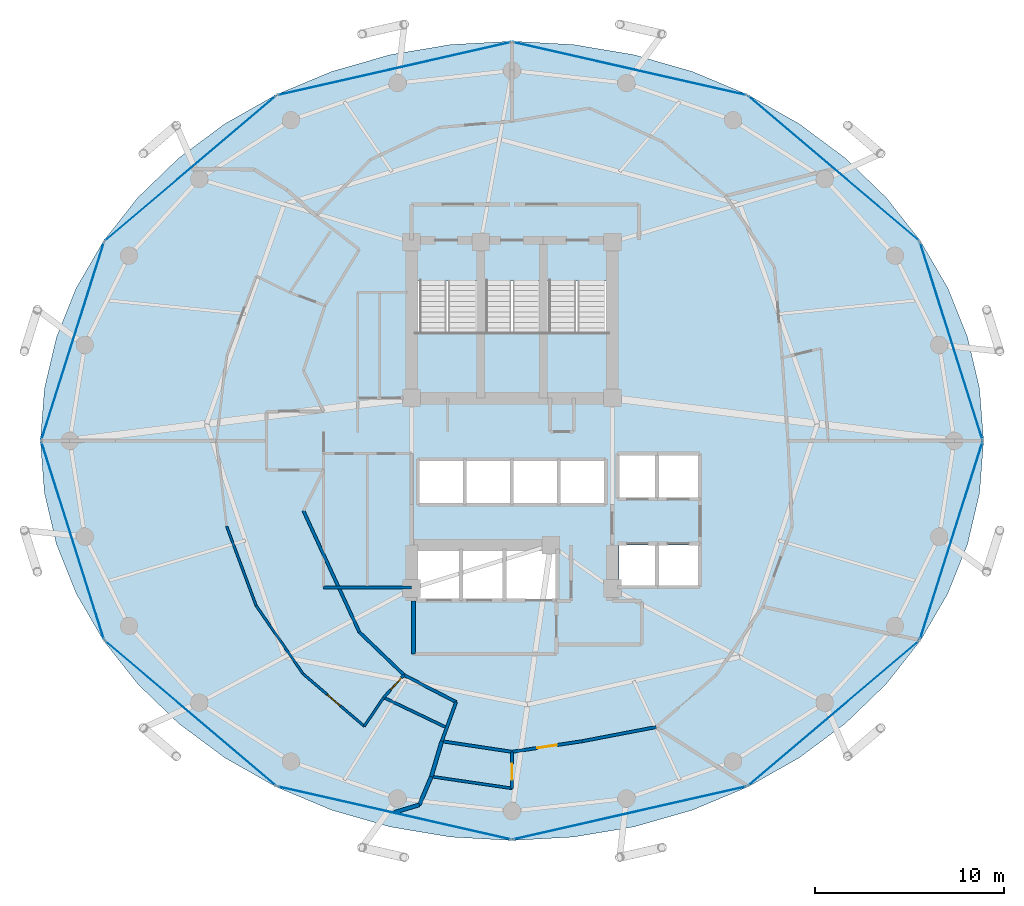
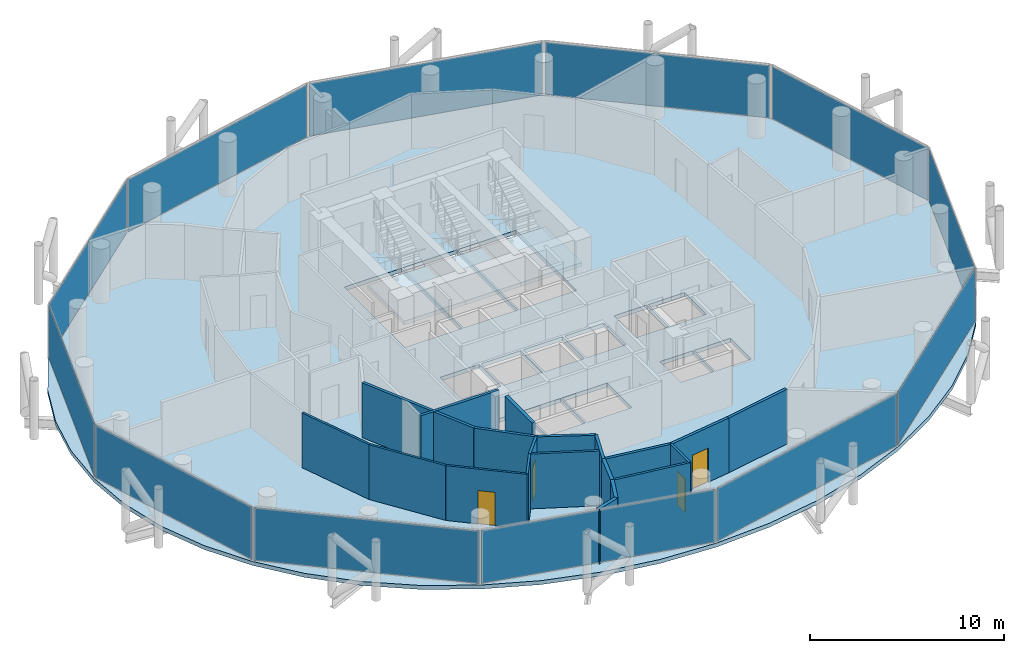
# One storey, part 21 of 26: 20 walls, 12 plates, 4 doors, 4 slabs, 4 openings, 15 elements without a shape of their own.
"""IFC4 building model written with IfcOpenShell, lengths in metres."""

import ifcopenshell
import ifcopenshell.guid

model = None  # the IFC model being written
_history = None  # IfcOwnerHistory: only IFC2X3 demands one
_inside = {}  # id of a spatial element -> (the spatial element, [elements in it])
_under = {}  # id of a project, library or spatial element -> (it, [spatial elements below it])
_declared = {}  # id of a project -> (the project, [libraries it declares])
_typed = {}  # id of a type object -> (the type object, [elements of that type])
_made_of = {}  # id of a material, layer set ... -> (it, [elements and type objects made of it])


def new_model(schema):
    """Start an empty IFC model of exactly this schema.

    Asked for "IFC4X3", IfcOpenShell would pick the latest addendum, in which some entities
    have other attributes; the version numbers below select the first issue.
    IFC2X3 requires an IfcOwnerHistory on every rooted entity: one is made here for all.
    """
    global model, _history
    if schema == "IFC4X3":
        model = ifcopenshell.file(schema_version=(4, 3, 0, 0))
    else:
        model = ifcopenshell.file(schema=schema)
    _inside.clear()
    _under.clear()
    _declared.clear()
    _typed.clear()
    _made_of.clear()
    _history = None
    if model.schema == "IFC2X3":
        org = make("IfcOrganization", Name="unknown")
        user = make(
            "IfcPersonAndOrganization",
            ThePerson=make("IfcPerson", FamilyName="unknown"),
            TheOrganization=org,
        )
        app = make(
            "IfcApplication",
            ApplicationDeveloper=org,
            Version="unknown",
            ApplicationFullName="unknown",
            ApplicationIdentifier="unknown",
        )
        _history = make(
            "IfcOwnerHistory",
            OwningUser=user,
            OwningApplication=app,
            ChangeAction="ADDED",
            CreationDate=0,
        )
    return model


def make(cls, **values):
    """One entity of the class cls with the attributes given. An attribute that is None is left unset."""
    return model.create_entity(
        cls, **{name: value for name, value in values.items() if value is not None}
    )


def rooted(cls, **values):
    """An entity with a GlobalId (a new one), such as an element, a storey or a relation."""
    return make(cls, GlobalId=ifcopenshell.guid.new(), OwnerHistory=_history, **values)


def si_unit(unit_type, name, prefix=None):
    """IfcSIUnit, for example si_unit("LENGTHUNIT", "METRE", prefix="MILLI")."""
    return make("IfcSIUnit", UnitType=unit_type, Prefix=prefix, Name=name)


def assignment(units):
    """IfcUnitAssignment: the units of a project."""
    return None if units is None else make("IfcUnitAssignment", Units=units)


def point(xyz):
    """IfcCartesianPoint."""
    return None if xyz is None else make("IfcCartesianPoint", Coordinates=xyz)


def direction(xyz):
    """IfcDirection."""
    return None if xyz is None else make("IfcDirection", DirectionRatios=xyz)


def frame(location, z_axis=None, x_axis=None):
    """IfcAxis2Placement3D, a coordinate frame: its origin and axes. An axis left out is left unset."""
    return make(
        "IfcAxis2Placement3D",
        Location=point(location),
        Axis=direction(z_axis),
        RefDirection=direction(x_axis),
    )


def frame_2d(location, x_axis=None):
    """IfcAxis2Placement2D, a coordinate frame in the plane: its origin and x axis."""
    return make(
        "IfcAxis2Placement2D", Location=point(location), RefDirection=direction(x_axis)
    )


def origin():
    """The frame at (0, 0, 0) with its axes left unset."""
    return frame((0.0, 0.0, 0.0))


def origin_2d():
    """The frame at (0, 0) in the plane with its x axis left unset."""
    return frame_2d((0.0, 0.0))


def place(relative_to, where):
    """IfcLocalPlacement: puts the frame where relative to a parent placement (None: the world)."""
    return make(
        "IfcLocalPlacement", PlacementRelTo=relative_to, RelativePlacement=where
    )


def context(
    kind, dimensions, precision=None, world=None, true_north=None, identifier=None
):
    """IfcGeometricRepresentationContext, for example the 3D "Model" context."""
    return make(
        "IfcGeometricRepresentationContext",
        ContextIdentifier=identifier,
        ContextType=kind,
        CoordinateSpaceDimension=dimensions,
        Precision=precision,
        WorldCoordinateSystem=world,
        TrueNorth=true_north,
    )


def subcontext(parent, identifier, kind, view, scale=None):
    """IfcGeometricRepresentationSubContext, for example "Body" below "Model"."""
    return make(
        "IfcGeometricRepresentationSubContext",
        ContextIdentifier=identifier,
        ContextType=kind,
        ParentContext=parent,
        TargetScale=scale,
        TargetView=view,
    )


def project(units=None, contexts=None):
    """IfcProject with its units and contexts."""
    return rooted(
        "IfcProject",
        Name="project",
        RepresentationContexts=contexts,
        UnitsInContext=assignment(units),
    )


def spatial(cls, under=None, at=None, **own):
    """A site, building, storey or space (cls), placed at a placement, below another one or the project."""
    s = rooted(cls, ObjectPlacement=at, **own)
    if under is not None:
        _under.setdefault(under.id(), (under, []))[1].append(s)
    return s


def polyline(points):
    """IfcPolyline through the points."""
    return make("IfcPolyline", Points=[point(p) for p in points])


def profile(cls, at=None, kind="AREA", **sizes):
    """A parametric profile (cls). Its sizes go by their IFC names, for example OverallWidth=200.0."""
    return make(cls, ProfileType=kind, Position=at, **sizes)


def rectangle(**sizes):
    """IfcRectangleProfileDef."""
    return profile("IfcRectangleProfileDef", **sizes)


def outline(outer, holes=None, kind="AREA"):
    """IfcArbitraryClosedProfileDef: a profile drawn as a closed curve; with holes, ...WithVoids."""
    if holes is None:
        return make("IfcArbitraryClosedProfileDef", ProfileType=kind, OuterCurve=outer)
    return make(
        "IfcArbitraryProfileDefWithVoids",
        ProfileType=kind,
        OuterCurve=outer,
        InnerCurves=holes,
    )


def extrude(swept, where, along, depth):
    """IfcExtrudedAreaSolid: the profile swept, set in the frame where, extruded along a direction by depth."""
    return make(
        "IfcExtrudedAreaSolid",
        SweptArea=swept,
        Position=where,
        ExtrudedDirection=direction(along),
        Depth=depth,
    )


def shape(context_of_items, identifier, shape_type, items):
    """IfcShapeRepresentation: the items that make up one representation, for example the "Body"."""
    return make(
        "IfcShapeRepresentation",
        ContextOfItems=context_of_items,
        RepresentationIdentifier=identifier,
        RepresentationType=shape_type,
        Items=items,
    )


def material(Name=None, Category=None):
    """IfcMaterial."""
    return make("IfcMaterial", Name=Name, Category=Category)


def layer(
    of_material, thickness, ventilated=None, Name=None, Category=None, Priority=None
):
    """IfcMaterialLayer: one layer of a wall or slab, of a material (None: an air gap)."""
    return make(
        "IfcMaterialLayer",
        Material=of_material,
        LayerThickness=thickness,
        IsVentilated=ventilated,
        Name=Name,
        Category=Category,
        Priority=Priority,
    )


def layer_set(layers, Name=None):
    """IfcMaterialLayerSet."""
    return make("IfcMaterialLayerSet", MaterialLayers=layers, LayerSetName=Name)


def made_of(thing, what):
    """Note that an element or type object is made of a material, layer set ...; save() writes the relation."""
    if what is not None:
        _made_of.setdefault(what.id(), (what, []))[1].append(thing)
    return thing


def type_object(cls, material=None, **own):
    """A type object (cls), such as IfcWallType, which elements share."""
    return made_of(rooted(cls, **own), material)


def element(
    cls,
    number,
    at=None,
    inside=None,
    cuts=None,
    type_object=None,
    material=None,
    context=None,
    identifier="Body",
    shape_type=None,
    held_by="IfcProductDefinitionShape",
    body=None,
    shapes=None,
    **own,
):
    """One element of the class cls, such as IfcWall. Its Tag is "e" and its number.

    at: its placement. inside: the storey or other place that contains it. cuts: it is an
    opening in that element (IfcRelVoidsElement). A single representation is given by context,
    identifier, shape_type and body (its items); several are given by shapes. held_by: the class
    of the entity that holds the representations. save() writes the other relations.
    """
    e = rooted(cls, Tag="e%d" % number, ObjectPlacement=at, **own)
    if body is not None:
        shapes = [shape(context, identifier, shape_type, body)]
    if shapes is not None:
        e.Representation = make(held_by, Representations=shapes)
    if inside is not None:
        _inside.setdefault(inside.id(), (inside, []))[1].append(e)
    if cuts is not None:
        rooted(
            "IfcRelVoidsElement", RelatingBuildingElement=cuts, RelatedOpeningElement=e
        )
    if type_object is not None:
        _typed.setdefault(type_object.id(), (type_object, []))[1].append(e)
    return made_of(e, material)


def fill(opening, filler):
    """IfcRelFillsElement: the door or window that sits in an opening."""
    return rooted(
        "IfcRelFillsElement",
        RelatingOpeningElement=opening,
        RelatedBuildingElement=filler,
    )


def aggregate(whole, parts):
    """IfcRelAggregates: a whole, such as a stair, and the parts it consists of."""
    return rooted("IfcRelAggregates", RelatingObject=whole, RelatedObjects=parts)


def save(model, path):
    """Write the relations noted so far, then the file.

    IfcRelAggregates (storeys below a building ...), IfcRelContainedInSpatialStructure (elements
    in a storey), IfcRelDefinesByType, IfcRelAssociatesMaterial and IfcRelDeclares: one each for
    every whole, place, type object, material and project.
    """
    for whole, parts in _under.values():
        aggregate(whole, parts)
    for where, things in _inside.values():
        rooted(
            "IfcRelContainedInSpatialStructure",
            RelatedElements=things,
            RelatingStructure=where,
        )
    for kind, things in _typed.values():
        rooted("IfcRelDefinesByType", RelatedObjects=things, RelatingType=kind)
    for what, things in _made_of.values():
        rooted("IfcRelAssociatesMaterial", RelatedObjects=things, RelatingMaterial=what)
    for by, libraries in _declared.values():
        rooted("IfcRelDeclares", RelatingContext=by, RelatedDefinitions=libraries)
    model.write(path)


model = new_model("IFC4")

# Units and contexts
model_context = context("Model", 3, precision=1e-05, world=origin(), true_north=direction((0.0, 1.0)))
body_context = subcontext(model_context, "Body", "Model", "MODEL_VIEW")
ifc_project = project(units=[si_unit("LENGTHUNIT", "METRE"), si_unit("AREAUNIT", "SQUARE_METRE"), si_unit("VOLUMEUNIT", "CUBIC_METRE"), si_unit("PLANEANGLEUNIT", "RADIAN"), si_unit("MASSUNIT", "GRAM", prefix="KILO")], contexts=[model_context])

# Site, building, storey
site_placement = place(None, origin())
site = spatial("IfcSite", under=ifc_project, at=site_placement, CompositionType="ELEMENT")
building_placement = place(site_placement, origin())
building = spatial("IfcBuilding", under=site, at=building_placement, Name="Nuhasar Tower", CompositionType="ELEMENT")
storey_placement = place(building_placement, frame((0.0, 0.0, 181.14990234375)))
storey = spatial("IfcBuildingStorey", under=building, at=storey_placement, Name="L44", CompositionType="ELEMENT", Elevation=181.14990234375)

# Curtain wall, plate
ifc_material_1 = material(Name="Aluminium 6063-T6", Category="aluminium")
ifc_layer_1 = layer(ifc_material_1, 0.199951171875)
ifc_layer_set_1 = layer_set([ifc_layer_1], Name="Aluminium 6063-T6")
curtain_wall_type = type_object("IfcCurtainWallType", Name="CW-Z2-HTL", PredefinedType="NOTDEFINED", material=ifc_layer_set_1)
curtain_wall_1_placement = place(storey_placement, origin())
curtain_wall_1 = element("IfcCurtainWall", 1, at=curtain_wall_1_placement, inside=storey, type_object=curtain_wall_type, Name="L44 Unitised Curtain Wall 01", PredefinedType="NOTDEFINED")
ifc_material_2 = material(Name="Glass Double Low-E", Category="glass")
ifc_layer_2 = layer(ifc_material_2, 0.028076171875)
ifc_layer_set_2 = layer_set([ifc_layer_2], Name="Glass Double Low-E")
plate_type = type_object("IfcPlateType", Name="CW-PANEL-GLZ", PredefinedType="CURTAIN_PANEL", material=ifc_layer_set_2)
plate_1_placement = place(storey_placement, frame((62.194580078125, 32.06494140625, 0.070068359375), z_axis=(0.0, 0.0, 1.0), x_axis=(-0.301603667577, 0.953433389233, 0.0)))
plate_1 = element("IfcPlate", 2, at=plate_1_placement, type_object=plate_type, Name="CW-Z2 panel 1.1", PredefinedType="CURTAIN_PANEL", context=body_context, shape_type="SweptSolid", body=[
    extrude(rectangle(XDim=10.904296875, YDim=0.028076171875, at=origin_2d()), origin(), (0.0, 0.0, 1.0), 3.31005859375),
])
aggregate(curtain_wall_1, [plate_1])

curtain_wall_2_placement = place(storey_placement, origin())
curtain_wall_2 = element("IfcCurtainWall", 3, at=curtain_wall_2_placement, inside=storey, type_object=curtain_wall_type, Name="L44 Unitised Curtain Wall 02", PredefinedType="NOTDEFINED")
plate_2_placement = place(storey_placement, frame((55.9794921875, 41.18408203125, 0.070068359375), z_axis=(0.0, 0.0, 1.0), x_axis=(-0.763020370292, 0.646374438324, 0.0)))
plate_2 = element("IfcPlate", 4, at=plate_2_placement, type_object=plate_type, Name="CW-Z2 panel 1.1", PredefinedType="CURTAIN_PANEL", context=body_context, shape_type="SweptSolid", body=[
    extrude(rectangle(XDim=11.784912109375, YDim=0.028076171875, at=origin_2d()), origin(), (0.0, 0.0, 1.0), 3.31005859375),
])
aggregate(curtain_wall_2, [plate_2])

curtain_wall_3_placement = place(storey_placement, origin())
curtain_wall_3 = element("IfcCurtainWall", 5, at=curtain_wall_3_placement, inside=storey, type_object=curtain_wall_type, Name="L44 Unitised Curtain Wall 03", PredefinedType="NOTDEFINED")
plate_3_placement = place(storey_placement, frame((45.215087890625, 46.448974609375, 0.070068359375), z_axis=(0.0, 0.0, 1.0), x_axis=(-0.975183694221, 0.22139729566, 0.0)))
plate_3 = element("IfcPlate", 6, at=plate_3_placement, type_object=plate_type, Name="CW-Z2 panel 1.1", PredefinedType="CURTAIN_PANEL", context=body_context, shape_type="SweptSolid", body=[
    extrude(rectangle(XDim=12.606201171875, YDim=0.028076171875, at=origin_2d()), origin(), (0.0, 0.0, 1.0), 3.31005859375),
])
aggregate(curtain_wall_3, [plate_3])

curtain_wall_4_placement = place(storey_placement, origin())
curtain_wall_4 = element("IfcCurtainWall", 7, at=curtain_wall_4_placement, inside=storey, type_object=curtain_wall_type, Name="L44 Unitised Curtain Wall 04", PredefinedType="NOTDEFINED")
plate_4_placement = place(storey_placement, frame((32.784912109375, 46.448974609375, 0.070068359375), z_axis=(0.0, 0.0, 1.0), x_axis=(-0.975183694221, -0.22139729566, 0.0)))
plate_4 = element("IfcPlate", 8, at=plate_4_placement, type_object=plate_type, Name="CW-Z2 panel 1.1", PredefinedType="CURTAIN_PANEL", context=body_context, shape_type="SweptSolid", body=[
    extrude(rectangle(XDim=12.606201171875, YDim=0.028076171875, at=origin_2d()), origin(), (0.0, 0.0, 1.0), 3.31005859375),
])
aggregate(curtain_wall_4, [plate_4])

curtain_wall_5_placement = place(storey_placement, origin())
curtain_wall_5 = element("IfcCurtainWall", 9, at=curtain_wall_5_placement, inside=storey, type_object=curtain_wall_type, Name="L44 Unitised Curtain Wall 05", PredefinedType="NOTDEFINED")
plate_5_placement = place(storey_placement, frame((22.0205078125, 41.18408203125, 0.070068359375), z_axis=(0.0, 0.0, 1.0), x_axis=(-0.763020370292, -0.646374438324, 0.0)))
plate_5 = element("IfcPlate", 10, at=plate_5_placement, type_object=plate_type, Name="CW-Z2 panel 1.1", PredefinedType="CURTAIN_PANEL", context=body_context, shape_type="SweptSolid", body=[
    extrude(rectangle(XDim=11.784912109375, YDim=0.028076171875, at=origin_2d()), origin(), (0.0, 0.0, 1.0), 3.31005859375),
])
aggregate(curtain_wall_5, [plate_5])

curtain_wall_6_placement = place(storey_placement, origin())
curtain_wall_6 = element("IfcCurtainWall", 11, at=curtain_wall_6_placement, inside=storey, type_object=curtain_wall_type, Name="L44 Unitised Curtain Wall 06", PredefinedType="NOTDEFINED")
plate_6_placement = place(storey_placement, frame((15.805419921875, 32.06494140625, 0.070068359375), z_axis=(0.0, 0.0, 1.0), x_axis=(-0.301603667577, -0.953433389233, 0.0)))
plate_6 = element("IfcPlate", 12, at=plate_6_placement, type_object=plate_type, Name="CW-Z2 panel 1.1", PredefinedType="CURTAIN_PANEL", context=body_context, shape_type="SweptSolid", body=[
    extrude(rectangle(XDim=10.904296875, YDim=0.028076171875, at=origin_2d()), origin(), (0.0, 0.0, 1.0), 3.31005859375),
])
aggregate(curtain_wall_6, [plate_6])

curtain_wall_7_placement = place(storey_placement, origin())
curtain_wall_7 = element("IfcCurtainWall", 13, at=curtain_wall_7_placement, inside=storey, type_object=curtain_wall_type, Name="L44 Unitised Curtain Wall 07", PredefinedType="NOTDEFINED")
plate_7_placement = place(storey_placement, frame((15.805419921875, 21.534912109375, 0.070068359375), z_axis=(0.0, 0.0, 1.0), x_axis=(0.301603667577, -0.953433389233, 0.0)))
plate_7 = element("IfcPlate", 14, at=plate_7_placement, type_object=plate_type, Name="CW-Z2 panel 1.1", PredefinedType="CURTAIN_PANEL", context=body_context, shape_type="SweptSolid", body=[
    extrude(rectangle(XDim=10.904296875, YDim=0.028076171875, at=origin_2d()), origin(), (0.0, 0.0, 1.0), 3.31005859375),
])
aggregate(curtain_wall_7, [plate_7])

curtain_wall_8_placement = place(storey_placement, origin())
curtain_wall_8 = element("IfcCurtainWall", 15, at=curtain_wall_8_placement, inside=storey, type_object=curtain_wall_type, Name="L44 Unitised Curtain Wall 08", PredefinedType="NOTDEFINED")
plate_8_placement = place(storey_placement, frame((22.0205078125, 12.416015625, 0.070068359375), z_axis=(0.0, 0.0, 1.0), x_axis=(0.763020370292, -0.646374438324, 0.0)))
plate_8 = element("IfcPlate", 16, at=plate_8_placement, type_object=plate_type, Name="CW-Z2 panel 1.1", PredefinedType="CURTAIN_PANEL", context=body_context, shape_type="SweptSolid", body=[
    extrude(rectangle(XDim=11.784912109375, YDim=0.028076171875, at=origin_2d()), origin(), (0.0, 0.0, 1.0), 3.31005859375),
])
aggregate(curtain_wall_8, [plate_8])

curtain_wall_9_placement = place(storey_placement, origin())
curtain_wall_9 = element("IfcCurtainWall", 17, at=curtain_wall_9_placement, inside=storey, type_object=curtain_wall_type, Name="L44 Unitised Curtain Wall 09", PredefinedType="NOTDEFINED")
plate_9_placement = place(storey_placement, frame((32.784912109375, 7.15087890625, 0.070068359375), z_axis=(0.0, 0.0, 1.0), x_axis=(0.975183694221, -0.22139729566, 0.0)))
plate_9 = element("IfcPlate", 18, at=plate_9_placement, type_object=plate_type, Name="CW-Z2 panel 1.1", PredefinedType="CURTAIN_PANEL", context=body_context, shape_type="SweptSolid", body=[
    extrude(rectangle(XDim=12.606201171875, YDim=0.028076171875, at=origin_2d()), origin(), (0.0, 0.0, 1.0), 3.31005859375),
])
aggregate(curtain_wall_9, [plate_9])

curtain_wall_10_placement = place(storey_placement, origin())
curtain_wall_10 = element("IfcCurtainWall", 19, at=curtain_wall_10_placement, inside=storey, type_object=curtain_wall_type, Name="L44 Unitised Curtain Wall 10", PredefinedType="NOTDEFINED")
plate_10_placement = place(storey_placement, frame((45.215087890625, 7.15087890625, 0.070068359375), z_axis=(0.0, 0.0, 1.0), x_axis=(0.975183694221, 0.22139729566, 0.0)))
plate_10 = element("IfcPlate", 20, at=plate_10_placement, type_object=plate_type, Name="CW-Z2 panel 1.1", PredefinedType="CURTAIN_PANEL", context=body_context, shape_type="SweptSolid", body=[
    extrude(rectangle(XDim=12.606201171875, YDim=0.028076171875, at=origin_2d()), origin(), (0.0, 0.0, 1.0), 3.31005859375),
])
aggregate(curtain_wall_10, [plate_10])

curtain_wall_11_placement = place(storey_placement, origin())
curtain_wall_11 = element("IfcCurtainWall", 21, at=curtain_wall_11_placement, inside=storey, type_object=curtain_wall_type, Name="L44 Unitised Curtain Wall 11", PredefinedType="NOTDEFINED")
plate_11_placement = place(storey_placement, frame((55.9794921875, 12.416015625, 0.070068359375), z_axis=(0.0, 0.0, 1.0), x_axis=(0.763020370292, 0.646374438324, 0.0)))
plate_11 = element("IfcPlate", 22, at=plate_11_placement, type_object=plate_type, Name="CW-Z2 panel 1.1", PredefinedType="CURTAIN_PANEL", context=body_context, shape_type="SweptSolid", body=[
    extrude(rectangle(XDim=11.784912109375, YDim=0.028076171875, at=origin_2d()), origin(), (0.0, 0.0, 1.0), 3.31005859375),
])
aggregate(curtain_wall_11, [plate_11])

curtain_wall_12_placement = place(storey_placement, origin())
curtain_wall_12 = element("IfcCurtainWall", 23, at=curtain_wall_12_placement, inside=storey, type_object=curtain_wall_type, Name="L44 Unitised Curtain Wall 12", PredefinedType="NOTDEFINED")
plate_12_placement = place(storey_placement, frame((62.194580078125, 21.534912109375, 0.070068359375), z_axis=(0.0, 0.0, 1.0), x_axis=(0.301603667577, 0.953433389233, 0.0)))
plate_12 = element("IfcPlate", 24, at=plate_12_placement, type_object=plate_type, Name="CW-Z2 panel 1.1", PredefinedType="CURTAIN_PANEL", context=body_context, shape_type="SweptSolid", body=[
    extrude(rectangle(XDim=10.904296875, YDim=0.028076171875, at=origin_2d()), origin(), (0.0, 0.0, 1.0), 3.31005859375),
])
aggregate(curtain_wall_12, [plate_12])

# Stair, slab
ifc_material_3 = material(Name="Concrete C45/55", Category="concrete")
stair_type_1 = type_object("IfcStairType", Name="STR-ST-01-2F-22R-1682", PredefinedType="HALF_TURN_STAIR", material=ifc_material_3)
stair_1_placement = place(storey_placement, origin())
stair_1 = element("IfcStair", 25, at=stair_1_placement, inside=storey, type_object=stair_type_1, Name="L44 Exit Stair ST-01", PredefinedType="HALF_TURN_STAIR")
ifc_layer_3 = layer(ifc_material_3, 0.239990234375)
ifc_layer_set_3 = layer_set([ifc_layer_3], Name="Concrete C45/55")
slab_type_1 = type_object("IfcSlabType", Name="SLB-STAIR-LND-240", PredefinedType="LANDING", material=ifc_layer_set_3)
slab_1_placement = place(storey_placement, frame((0.0, 0.0, 1.610107421875)))
slab_1 = element("IfcSlab", 26, at=slab_1_placement, type_object=slab_type_1, Name="ST-01 landing 1", PredefinedType="LANDING", context=body_context, shape_type="SweptSolid", body=[
    extrude(outline(polyline([(33.699951171875, 28.75), (37.35009765625, 28.75), (37.35009765625, 32.52001953125), (33.699951171875, 32.52001953125), (33.699951171875, 28.75)])), origin(), (0.0, 0.0, 1.0), 0.239990234375),
])
aggregate(stair_1, [slab_1])

stair_type_2 = type_object("IfcStairType", Name="STR-ST-03-2F-22R-1682", PredefinedType="HALF_TURN_STAIR", material=ifc_material_3)
stair_2_placement = place(storey_placement, origin())
stair_2 = element("IfcStair", 27, at=stair_2_placement, inside=storey, type_object=stair_type_2, Name="L44 Exit Stair ST-03", PredefinedType="HALF_TURN_STAIR")
slab_2_placement = place(storey_placement, frame((0.0, 0.0, 1.610107421875)))
slab_2 = element("IfcSlab", 28, at=slab_2_placement, type_object=slab_type_1, Name="ST-03 landing 1", PredefinedType="LANDING", context=body_context, shape_type="SweptSolid", body=[
    extrude(outline(polyline([(37.35009765625, 28.75), (40.64990234375, 28.75), (40.64990234375, 32.52001953125), (37.35009765625, 32.52001953125), (37.35009765625, 28.75)])), origin(), (0.0, 0.0, 1.0), 0.239990234375),
])
aggregate(stair_2, [slab_2])

stair_type_3 = type_object("IfcStairType", Name="STR-ST-02-2F-22R-1682", PredefinedType="HALF_TURN_STAIR", material=ifc_material_3)
stair_3_placement = place(storey_placement, origin())
stair_3 = element("IfcStair", 29, at=stair_3_placement, inside=storey, type_object=stair_type_3, Name="L44 Exit Stair ST-02", PredefinedType="HALF_TURN_STAIR")
slab_3_placement = place(storey_placement, frame((0.0, 0.0, 1.610107421875)))
slab_3 = element("IfcSlab", 30, at=slab_3_placement, type_object=slab_type_1, Name="ST-02 landing 1", PredefinedType="LANDING", context=body_context, shape_type="SweptSolid", body=[
    extrude(outline(polyline([(40.64990234375, 28.75), (44.300048828125, 28.75), (44.300048828125, 32.52001953125), (40.64990234375, 32.52001953125), (40.64990234375, 28.75)])), origin(), (0.0, 0.0, 1.0), 0.239990234375),
])
aggregate(stair_3, [slab_3])

# Slab
ifc_layer_4 = layer(ifc_material_3, 0.25)
ifc_layer_set_4 = layer_set([ifc_layer_4], Name="Concrete C45/55")
slab_type_2 = type_object("IfcSlabType", Name="SLB-Z1B-250", PredefinedType="FLOOR", material=ifc_layer_set_4)
slab_4_placement = place(storey_placement, frame((0.0, 0.0, -0.25)))
element("IfcSlab", 31, at=slab_4_placement, inside=storey, type_object=slab_type_2, Name="L44 Structural Slab", PredefinedType="FLOOR", context=body_context, shape_type="SweptSolid", body=[
    extrude(outline(polyline([(63.89990234375, 26.800048828125), (63.68701171875, 29.553955078125), (63.052001953125, 32.260986328125), (62.0048828125, 34.875), (60.56396484375, 37.35009765625), (58.75390625, 39.64501953125), (56.60693359375, 41.719970703125), (54.157958984375, 43.5400390625), (51.449951171875, 45.072998046875), (48.529052734375, 46.2939453125), (45.445068359375, 47.180908203125), (42.25, 47.718994140625), (39.0, 47.89990234375), (35.75, 47.718994140625), (32.554931640625, 47.180908203125), (29.470947265625, 46.2939453125), (26.550048828125, 45.072998046875), (23.842041015625, 43.5400390625), (21.39306640625, 41.719970703125), (19.24609375, 39.64501953125), (17.43603515625, 37.35009765625), (15.9951171875, 34.875), (14.947998046875, 32.260986328125), (14.31298828125, 29.553955078125), (14.10009765625, 26.800048828125), (14.31298828125, 24.0458984375), (14.947998046875, 21.339111328125), (15.9951171875, 18.72509765625), (17.43603515625, 16.25), (19.24609375, 13.955078125), (21.39306640625, 11.8798828125), (23.842041015625, 10.06005859375), (26.550048828125, 8.527099609375), (29.470947265625, 7.305908203125), (32.554931640625, 6.4189453125), (35.75, 5.881103515625), (39.0, 5.699951171875), (42.25, 5.881103515625), (45.445068359375, 6.4189453125), (48.529052734375, 7.305908203125), (51.449951171875, 8.527099609375), (54.157958984375, 10.06005859375), (56.60693359375, 11.8798828125), (58.75390625, 13.955078125), (60.56396484375, 16.25), (62.0048828125, 18.72509765625), (63.052001953125, 21.339111328125), (63.68701171875, 24.0458984375), (63.89990234375, 26.800048828125)]), holes=[polyline([(33.8798828125, 35.25), (37.300048828125, 35.25), (37.300048828125, 29.0), (33.8798828125, 29.0), (33.8798828125, 35.25)]), polyline([(37.39990234375, 35.25), (40.60009765625, 35.25), (40.60009765625, 29.0), (37.39990234375, 29.0), (37.39990234375, 35.25)]), polyline([(40.699951171875, 35.25), (44.1201171875, 35.25), (44.1201171875, 29.0), (40.699951171875, 29.0), (40.699951171875, 35.25)]), polyline([(44.64990234375, 26.050048828125), (46.60009765625, 26.050048828125), (46.60009765625, 23.800048828125), (44.64990234375, 23.800048828125), (44.64990234375, 26.050048828125)]), polyline([(46.699951171875, 26.050048828125), (48.85009765625, 26.050048828125), (48.85009765625, 23.800048828125), (46.699951171875, 23.800048828125), (46.699951171875, 26.050048828125)]), polyline([(44.64990234375, 21.300048828125), (46.60009765625, 21.300048828125), (46.60009765625, 19.14990234375), (44.64990234375, 19.14990234375), (44.64990234375, 21.300048828125)]), polyline([(46.699951171875, 21.300048828125), (48.85009765625, 21.300048828125), (48.85009765625, 19.14990234375), (46.699951171875, 19.14990234375), (46.699951171875, 21.300048828125)]), polyline([(34.10009765625, 25.75), (36.43994140625, 25.75), (36.43994140625, 23.5), (34.10009765625, 23.5), (34.10009765625, 25.75)]), polyline([(36.580078125, 25.75), (38.919921875, 25.75), (38.919921875, 23.5), (36.580078125, 23.5), (36.580078125, 25.75)]), polyline([(39.06005859375, 25.75), (41.39990234375, 25.75), (41.39990234375, 23.5), (39.06005859375, 23.5), (39.06005859375, 25.75)]), polyline([(41.5400390625, 25.75), (43.8798828125, 25.75), (43.8798828125, 23.5), (41.5400390625, 23.5), (41.5400390625, 25.75)]), polyline([(34.050048828125, 21.0), (36.25, 21.0), (36.25, 18.449951171875), (34.050048828125, 18.449951171875), (34.050048828125, 21.0)]), polyline([(36.35009765625, 21.0), (38.550048828125, 21.0), (38.550048828125, 18.449951171875), (36.35009765625, 18.449951171875), (36.35009765625, 21.0)]), polyline([(38.64990234375, 21.0), (41.320068359375, 21.0), (41.320068359375, 18.449951171875), (38.64990234375, 18.449951171875), (38.64990234375, 21.0)])]), origin(), (0.0, 0.0, 1.0), 0.25),
])

# Walls
ifc_material_4 = material(Name="Gypsum Board", Category="gypsum")
ifc_layer_5 = layer(ifc_material_4, 0.159912109375)
ifc_layer_set_5 = layer_set([ifc_layer_5], Name="Gypsum Board")
wall_type_1 = type_object("IfcWallType", Name="WL-CORR-160", PredefinedType="PARTITIONING", material=ifc_layer_set_5)
wall_1_placement = place(storey_placement, frame((29.050048828125, 19.050048828125, 0.0), z_axis=(0.0, 0.0, 1.0), x_axis=(1.0, 0.0, 0.0)))
element("IfcWall", 32, at=wall_1_placement, inside=storey, type_object=wall_type_1, Name="L44 Interior Partition RECL-B1-S", PredefinedType="PARTITIONING", context=body_context, shape_type="SweptSolid", body=[
    extrude(rectangle(XDim=4.64990234375, YDim=0.159912109375, at=frame_2d((2.324951171875, 0.0))), origin(), (0.0, 0.0, 1.0), 3.4501953125),
])
wall_2_placement = place(storey_placement, frame((35.2939453125, 10.93896484375, 0.0), z_axis=(0.0, 0.0, 1.0), x_axis=(0.988811779908, -0.149168575493, 0.0)))
element("IfcWall", 33, at=wall_2_placement, inside=storey, type_object=wall_type_1, Name="L44 Interior Partition CORR-34", PredefinedType="PARTITIONING", context=body_context, shape_type="SweptSolid", body=[
    extrude(rectangle(XDim=3.748046875, YDim=0.159912109375, at=frame_2d((1.8740234375, 0.0))), origin(), (0.0, 0.0, 1.0), 3.4501953125),
])

# Wall, opening, door
wall_3_placement = place(storey_placement, frame((42.7060546875, 10.93896484375, 0.0), z_axis=(0.0, 0.0, 1.0), x_axis=(-0.988811779908, -0.149168575493, 0.0)))
wall_3 = element("IfcWall", 34, at=wall_3_placement, inside=storey, type_object=wall_type_1, Name="L44 Interior Partition CORR-36", PredefinedType="PARTITIONING", context=body_context, shape_type="SweptSolid", body=[
    extrude(rectangle(XDim=3.748046875, YDim=0.159912109375, at=frame_2d((1.8740234375, 0.0))), origin(), (0.0, 0.0, 1.0), 3.4501953125),
])
opening_1_placement = place(wall_3_placement, frame((1.34912109375, 0.0, 0.0)))
opening_1 = element("IfcOpeningElement", 35, at=opening_1_placement, cuts=wall_3, Name="Opening DU-01", PredefinedType="OPENING", context=body_context, shape_type="SweptSolid", body=[
    extrude(rectangle(XDim=1.050048828125, YDim=2.14990234375, at=frame_2d((0.52490234375, 1.074951171875))), frame((0.0, 0.08984375, 0.0), z_axis=(0.0, -1.0, 0.0), x_axis=(1.0, 0.0, 0.0)), (0.0, 0.0, 1.0), 0.179931640625),
])
ifc_material_5 = material(Name="Timber Oak", Category="wood")
door_type_1 = type_object("IfcDoorType", Name="DR-SUITE-FD60-1050", OperationType="NOTDEFINED", PredefinedType="DOOR", material=ifc_material_5)
door_1_placement = place(opening_1_placement, origin())
door_1 = element("IfcDoor", 36, at=door_1_placement, inside=storey, type_object=door_type_1, Name="L44 Family Suite 01 Entrance Door", OperationType="SINGLE_SWING_RIGHT", OverallHeight=2.14990234375, OverallWidth=1.050048828125, PredefinedType="DOOR", context=body_context, shape_type="SweptSolid", body=[
    extrude(rectangle(XDim=1.050048828125, YDim=2.14990234375, at=frame_2d((0.52490234375, 1.074951171875))), frame((0.0, 0.02490234375, 0.0), z_axis=(0.0, -1.0, 0.0), x_axis=(1.0, 0.0, 0.0)), (0.0, 0.0, 1.0), 0.050048828125),
])
fill(opening_1, door_1)

# Walls
wall_4_placement = place(storey_placement, frame((42.7060546875, 10.93896484375, 0.0), z_axis=(0.0, 0.0, 1.0), x_axis=(0.982133702628, 0.188184457811, 0.0)))
element("IfcWall", 37, at=wall_4_placement, inside=storey, type_object=wall_type_1, Name="L44 Interior Partition CORR-38", PredefinedType="PARTITIONING", context=body_context, shape_type="SweptSolid", body=[
    extrude(rectangle(XDim=3.97509765625, YDim=0.159912109375, at=frame_2d((1.987548828125, 0.0))), origin(), (0.0, 0.0, 1.0), 3.4501953125),
])
wall_5_placement = place(storey_placement, frame((36.049072265625, 13.007080078125, 0.0), z_axis=(0.0, 0.0, 1.0), x_axis=(-0.342980355209, -0.939342576455, 0.0)))
element("IfcWall", 38, at=wall_5_placement, inside=storey, type_object=wall_type_1, Name="L44 Interior Partition HRAD-34-IN", PredefinedType="PARTITIONING", context=body_context, shape_type="SweptSolid", body=[
    extrude(rectangle(XDim=2.20166015625, YDim=0.159912109375, at=frame_2d((1.100830078125, 0.0))), origin(), (0.0, 0.0, 1.0), 3.4501953125),
])
wall_6_placement = place(storey_placement, frame((27.988037109375, 23.10400390625, 0.0), z_axis=(0.0, 0.0, 1.0), x_axis=(0.418656179426, -0.908144814128, 0.0)))
element("IfcWall", 39, at=wall_6_placement, inside=storey, type_object=wall_type_1, Name="L44 Interior Partition HWEST-CORE-S1-26", PredefinedType="PARTITIONING", context=body_context, shape_type="SweptSolid", body=[
    extrude(rectangle(XDim=7.048583984375, YDim=0.159912109375, at=frame_2d((3.5244140625, 0.0))), origin(), (0.0, 0.0, 1.0), 3.4501953125),
])
wall_7_placement = place(storey_placement, frame((30.93896484375, 16.702880859375, 0.0), z_axis=(0.0, 0.0, 1.0), x_axis=(0.72090897908, -0.693029756851, 0.0)))
element("IfcWall", 40, at=wall_7_placement, inside=storey, type_object=wall_type_1, Name="L44 Interior Partition HWEST-CORE-S2-30", PredefinedType="PARTITIONING", context=body_context, shape_type="SweptSolid", body=[
    extrude(rectangle(XDim=3.275146484375, YDim=0.159912109375, at=frame_2d((1.6376953125, 0.0))), origin(), (0.0, 0.0, 1.0), 3.4501953125),
])
wall_8_placement = place(storey_placement, frame((33.300048828125, 14.43310546875, 0.0), z_axis=(0.0, 0.0, 1.0), x_axis=(0.887674575788, -0.460471331898, 0.0)))
element("IfcWall", 41, at=wall_8_placement, inside=storey, type_object=wall_type_1, Name="L44 Interior Partition HWEST-CORE-S2-32", PredefinedType="PARTITIONING", context=body_context, shape_type="SweptSolid", body=[
    extrude(rectangle(XDim=3.096923828125, YDim=0.159912109375, at=frame_2d((1.54833984375, 0.0))), origin(), (0.0, 0.0, 1.0), 3.4501953125),
])
ifc_layer_6 = layer(ifc_material_3, 0.199951171875)
ifc_layer_set_6 = layer_set([ifc_layer_6], Name="Concrete C45/55")
wall_type_2 = type_object("IfcWallType", Name="WL-LOBBY-200", PredefinedType="SOLIDWALL", material=ifc_layer_set_6)
wall_9_placement = place(storey_placement, frame((33.800048828125, 15.550048828125, 0.0), z_axis=(0.0, 0.0, 1.0), x_axis=(0.0, 1.0, 0.0)))
element("IfcWall", 42, at=wall_9_placement, inside=storey, type_object=wall_type_2, Name="L44 Interior Partition FFL-W", PredefinedType="SOLIDWALL", context=body_context, shape_type="SweptSolid", body=[
    extrude(rectangle(XDim=2.800048828125, YDim=0.199951171875, at=frame_2d((1.39990234375, 0.0))), origin(), (0.0, 0.0, 1.0), 3.4501953125),
])
ifc_layer_7 = layer(ifc_material_4, 0.125)
ifc_layer_set_7 = layer_set([ifc_layer_7], Name="Gypsum Board")
wall_type_3 = type_object("IfcWallType", Name="WL-PART-125", PredefinedType="PARTITIONING", material=ifc_layer_set_7)
wall_10_placement = place(storey_placement, frame((32.22509765625, 13.2470703125, 0.0), z_axis=(0.0, 0.0, 1.0), x_axis=(-0.560137086464, -0.828399930207, 0.0)))
element("IfcWall", 43, at=wall_10_placement, inside=storey, type_object=wall_type_3, Name="L44 Interior Partition HWS2-N", PredefinedType="PARTITIONING", context=body_context, shape_type="SweptSolid", body=[
    extrude(rectangle(XDim=1.830078125, YDim=0.125, at=frame_2d((0.9150390625, 0.0))), origin(), (0.0, 0.0, 1.0), 3.4501953125),
])
wall_11_placement = place(storey_placement, frame((23.931884765625, 22.297119140625, 0.0), z_axis=(0.0, 0.0, 1.0), x_axis=(0.348031805078, -0.93748272659, 0.0)))
element("IfcWall", 44, at=wall_11_placement, inside=storey, type_object=wall_type_3, Name="L44 Interior Partition HWS2-ARC-26", PredefinedType="PARTITIONING", context=body_context, shape_type="SweptSolid", body=[
    extrude(rectangle(XDim=4.476806640625, YDim=0.125, at=frame_2d((2.23828125, 0.0))), origin(), (0.0, 0.0, 1.0), 3.4501953125),
])
wall_12_placement = place(storey_placement, frame((25.489990234375, 18.10009765625, 0.0), z_axis=(0.0, 0.0, 1.0), x_axis=(0.566723041571, -0.823908365143, 0.0)))
element("IfcWall", 45, at=wall_12_placement, inside=storey, type_object=wall_type_3, Name="L44 Interior Partition HWS2-ARC-28", PredefinedType="PARTITIONING", context=body_context, shape_type="SweptSolid", body=[
    extrude(rectangle(XDim=4.374267578125, YDim=0.125, at=frame_2d((2.18701171875, 0.0))), origin(), (0.0, 0.0, 1.0), 3.4501953125),
])

# Wall, opening, door
wall_13_placement = place(storey_placement, frame((27.968994140625, 14.49609375, 0.0), z_axis=(0.0, 0.0, 1.0), x_axis=(0.759750776123, -0.650214394013, 0.0)))
wall_13 = element("IfcWall", 46, at=wall_13_placement, inside=storey, type_object=wall_type_3, Name="L44 Interior Partition HWS2-ARC-30", PredefinedType="PARTITIONING", context=body_context, shape_type="SweptSolid", body=[
    extrude(rectangle(XDim=4.252685546875, YDim=0.125, at=frame_2d((2.12646484375, 0.0))), origin(), (0.0, 0.0, 1.0), 3.4501953125),
])
opening_2_placement = place(wall_13_placement, frame((1.676025390625, 0.0, 0.0)))
opening_2 = element("IfcOpeningElement", 47, at=opening_2_placement, cuts=wall_13, Name="Opening DR-01", PredefinedType="OPENING", context=body_context, shape_type="SweptSolid", body=[
    extrude(rectangle(XDim=0.89990234375, YDim=2.10009765625, at=frame_2d((0.449951171875, 1.050048828125))), frame((0.0, 0.072509765625, 0.0), z_axis=(0.0, -1.0, 0.0), x_axis=(1.0, 0.0, 0.0)), (0.0, 0.0, 1.0), 0.14501953125),
])
door_type_2 = type_object("IfcDoorType", Name="DR-ROOM-900", OperationType="NOTDEFINED", PredefinedType="DOOR", material=ifc_material_5)
door_2_placement = place(opening_2_placement, origin())
door_2 = element("IfcDoor", 48, at=door_2_placement, inside=storey, type_object=door_type_2, Name="L44 South-West Presidential Suite Bedroom Door", OperationType="SINGLE_SWING_LEFT", OverallHeight=2.10009765625, OverallWidth=0.89990234375, PredefinedType="DOOR", context=body_context, shape_type="SweptSolid", body=[
    extrude(rectangle(XDim=0.89990234375, YDim=2.10009765625, at=frame_2d((0.449951171875, 1.050048828125))), frame((0.0, 0.02490234375, 0.0), z_axis=(0.0, -1.0, 0.0), x_axis=(1.0, 0.0, 0.0)), (0.0, 0.0, 1.0), 0.050048828125),
])
fill(opening_2, door_2)

# Walls
ifc_material_6 = material(Name="Concrete C40/50 precast", Category="concrete")
ifc_layer_8 = layer(ifc_material_6, 0.199951171875)
ifc_layer_set_8 = layer_set([ifc_layer_8], Name="Concrete C40/50 precast")
wall_type_4 = type_object("IfcWallType", Name="WL-UNIT-200", PredefinedType="PARTITIONING", material=ifc_layer_set_8)
wall_14_placement = place(storey_placement, frame((35.2939453125, 10.93896484375, 0.0), z_axis=(0.0, 0.0, 1.0), x_axis=(-0.283947221883, -0.958839911135, 0.0)))
element("IfcWall", 49, at=wall_14_placement, inside=storey, type_object=wall_type_4, Name="L44 Interior Partition HRAD-34-OUT-S1", PredefinedType="PARTITIONING", context=body_context, shape_type="SweptSolid", body=[
    extrude(rectangle(XDim=1.944091796875, YDim=0.199951171875, at=frame_2d((0.97216796875, 0.0))), origin(), (0.0, 0.0, 1.0), 3.4501953125),
])
wall_15_placement = place(storey_placement, frame((34.741943359375, 9.074951171875, 0.0), z_axis=(0.0, 0.0, 1.0), x_axis=(-0.389982878965, -0.920822107746, 0.0)))
element("IfcWall", 50, at=wall_15_placement, inside=storey, type_object=wall_type_4, Name="L44 Interior Partition HRAD-34-OUT-S2", PredefinedType="PARTITIONING", context=body_context, shape_type="SweptSolid", body=[
    extrude(rectangle(XDim=1.625732421875, YDim=0.199951171875, at=frame_2d((0.81298828125, 0.0))), origin(), (0.0, 0.0, 1.0), 3.4501953125),
])
wall_16_placement = place(storey_placement, frame((34.10791015625, 7.577880859375, 0.0), z_axis=(0.0, 0.0, 1.0), x_axis=(-0.957904627435, -0.287086615394, 0.0)))
element("IfcWall", 51, at=wall_16_placement, inside=storey, type_object=wall_type_4, Name="L44 Interior Partition HRAD-34-OUT-S3", PredefinedType="PARTITIONING", context=body_context, shape_type="SweptSolid", body=[
    extrude(rectangle(XDim=1.371826171875, YDim=0.199951171875, at=frame_2d((0.68603515625, 0.0))), origin(), (0.0, 0.0, 1.0), 3.4501953125),
])

# Wall, opening, door
ifc_layer_9 = layer(ifc_material_6, 0.139892578125)
ifc_layer_set_9 = layer_set([ifc_layer_9], Name="Concrete C40/50 precast")
wall_type_5 = type_object("IfcWallType", Name="WL-WET-140", PredefinedType="PARTITIONING", material=ifc_layer_set_9)
wall_17_placement = place(storey_placement, frame((39.0, 10.3798828125, 0.0), z_axis=(0.0, 0.0, 1.0), x_axis=(0.0, -1.0, 0.0)))
wall_17 = element("IfcWall", 52, at=wall_17_placement, inside=storey, type_object=wall_type_5, Name="L44 Interior Partition HBW-01", PredefinedType="PARTITIONING", context=body_context, shape_type="SweptSolid", body=[
    extrude(rectangle(XDim=1.929931640625, YDim=0.139892578125, at=frame_2d((0.96484375, 0.0))), origin(), (0.0, 0.0, 1.0), 3.4501953125),
])
opening_3_placement = place(wall_17_placement, frame((0.636962890625, 0.0, 0.0)))
opening_3 = element("IfcOpeningElement", 53, at=opening_3_placement, cuts=wall_17, Name="Opening DB-01", PredefinedType="OPENING", context=body_context, shape_type="SweptSolid", body=[
    extrude(rectangle(XDim=0.85009765625, YDim=2.10009765625, at=frame_2d((0.425048828125, 1.050048828125))), frame((0.0, 0.080078125, 0.0), z_axis=(0.0, -1.0, 0.0), x_axis=(1.0, 0.0, 0.0)), (0.0, 0.0, 1.0), 0.159912109375),
])
door_type_3 = type_object("IfcDoorType", Name="DR-BATH-850", OperationType="NOTDEFINED", PredefinedType="DOOR", material=ifc_material_5)
door_3_placement = place(opening_3_placement, origin())
door_3 = element("IfcDoor", 54, at=door_3_placement, inside=storey, type_object=door_type_3, Name="L44 Family Suite 01 En-Suite Door", OperationType="SINGLE_SWING_RIGHT", OverallHeight=2.10009765625, OverallWidth=0.85009765625, PredefinedType="DOOR", context=body_context, shape_type="SweptSolid", body=[
    extrude(rectangle(XDim=0.85009765625, YDim=2.10009765625, at=frame_2d((0.425048828125, 1.050048828125))), frame((0.0, 0.02490234375, 0.0), z_axis=(0.0, -1.0, 0.0), x_axis=(1.0, 0.0, 0.0)), (0.0, 0.0, 1.0), 0.050048828125),
])
fill(opening_3, door_3)

# Wall
wall_18_placement = place(storey_placement, frame((34.741943359375, 9.074951171875, 0.0), z_axis=(0.0, 0.0, 1.0), x_axis=(0.989398726837, -0.145224513543, 0.0)))
element("IfcWall", 55, at=wall_18_placement, inside=storey, type_object=wall_type_5, Name="L44 Interior Partition HBF-01-34", PredefinedType="PARTITIONING", context=body_context, shape_type="SweptSolid", body=[
    extrude(rectangle(XDim=4.3037109375, YDim=0.139892578125, at=frame_2d((2.15185546875, 0.0))), origin(), (0.0, 0.0, 1.0), 3.4501953125),
])

# Wall, opening, door
wall_19_placement = place(storey_placement, frame((33.300048828125, 14.43310546875, 0.0), z_axis=(0.0, 0.0, 1.0), x_axis=(-0.671556062003, -0.740953747266, 0.0)))
wall_19 = element("IfcWall", 56, at=wall_19_placement, inside=storey, type_object=wall_type_5, Name="L44 Interior Partition HBW2-N", PredefinedType="PARTITIONING", context=body_context, shape_type="SweptSolid", body=[
    extrude(rectangle(XDim=1.6005859375, YDim=0.139892578125, at=frame_2d((0.80029296875, 0.0))), origin(), (0.0, 0.0, 1.0), 3.4501953125),
])
opening_4_placement = place(wall_19_placement, frame((0.199951171875, 0.0, 0.0)))
opening_4 = element("IfcOpeningElement", 57, at=opening_4_placement, cuts=wall_19, Name="Opening DB-01", PredefinedType="OPENING", context=body_context, shape_type="SweptSolid", body=[
    extrude(rectangle(XDim=0.85009765625, YDim=2.10009765625, at=frame_2d((0.425048828125, 1.050048828125))), frame((0.0, 0.080078125, 0.0), z_axis=(0.0, -1.0, 0.0), x_axis=(1.0, 0.0, 0.0)), (0.0, 0.0, 1.0), 0.159912109375),
])
door_4_placement = place(opening_4_placement, origin())
door_4 = element("IfcDoor", 58, at=door_4_placement, inside=storey, type_object=door_type_3, Name="L44 South-West Presidential Suite En-Suite Door", OperationType="SINGLE_SWING_LEFT", OverallHeight=2.10009765625, OverallWidth=0.85009765625, PredefinedType="DOOR", context=body_context, shape_type="SweptSolid", body=[
    extrude(rectangle(XDim=0.85009765625, YDim=2.10009765625, at=frame_2d((0.425048828125, 1.050048828125))), frame((0.0, 0.02490234375, 0.0), z_axis=(0.0, -1.0, 0.0), x_axis=(1.0, 0.0, 0.0)), (0.0, 0.0, 1.0), 0.050048828125),
])
fill(opening_4, door_4)

# Wall
wall_20_placement = place(storey_placement, frame((32.22509765625, 13.2470703125, 0.0), z_axis=(0.0, 0.0, 1.0), x_axis=(0.902016722043, -0.431701092372, 0.0)))
element("IfcWall", 59, at=wall_20_placement, inside=storey, type_object=wall_type_5, Name="L44 Interior Partition HBW2-E", PredefinedType="PARTITIONING", context=body_context, shape_type="SweptSolid", body=[
    extrude(rectangle(XDim=3.622802734375, YDim=0.139892578125, at=frame_2d((1.8115234375, 0.0))), origin(), (0.0, 0.0, 1.0), 3.4501953125),
])

save(model, "model.ifc")
